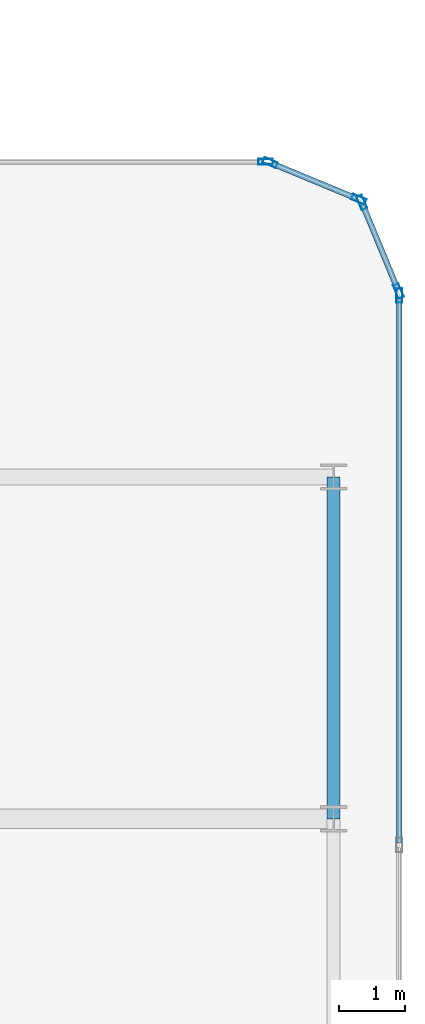
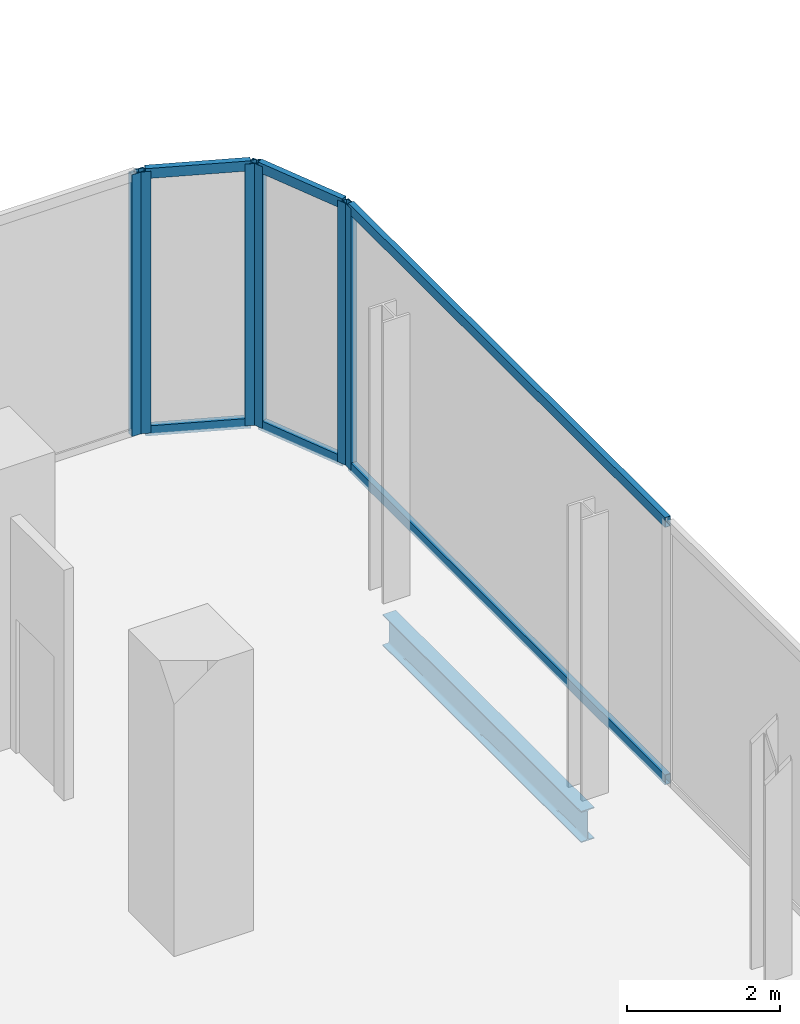
# One storey, part 20 of 30: 12 members, 1 beam, 4 elements without a shape of their own.
"""IFC4 building model written with IfcOpenShell, lengths in metres."""

from ifc_helpers import new_model, si_unit, direction, frame, origin, origin_2d, place, context, subcontext, project, spatial, hollow_rectangle, i_section, extrude, material, layer, layer_set, material_profile, profile_set, type_object, element, aggregate, save


model = new_model("IFC4")

# Units and contexts
model_context = context("Model", 3, precision=1e-05, world=origin(), true_north=direction((0.0, 1.0)))
body_context = subcontext(model_context, "Body", "Model", "MODEL_VIEW")
ifc_project = project(units=[si_unit("LENGTHUNIT", "METRE"), si_unit("AREAUNIT", "SQUARE_METRE"), si_unit("VOLUMEUNIT", "CUBIC_METRE"), si_unit("PLANEANGLEUNIT", "RADIAN"), si_unit("MASSUNIT", "GRAM", prefix="KILO")], contexts=[model_context])

# Site, building, storey
site_placement = place(None, origin())
site = spatial("IfcSite", under=ifc_project, at=site_placement, CompositionType="ELEMENT")
building_placement = place(site_placement, origin())
building = spatial("IfcBuilding", under=site, at=building_placement, Name="Keshet Zoharim Tower", CompositionType="ELEMENT")
storey_placement = place(building_placement, frame((0.0, 0.0, 65.60009765625)))
storey = spatial("IfcBuildingStorey", under=building, at=storey_placement, Name="L15", CompositionType="ELEMENT", Elevation=65.60009765625)

# Beam
ifc_material_1 = material(Name="Steel S355", Category="steel")
ifc_material_profile_1 = material_profile(ifc_material_1, i_section(OverallWidth=0.199951171875, OverallDepth=0.5, WebThickness=0.01025390625, FlangeThickness=0.01611328125, FilletRadius=0.02099609375, at=origin_2d()), Name="IPE500")
ifc_profile_set_1 = profile_set([ifc_material_profile_1], Name="Steel S355")
beam_type = type_object("IfcBeamType", Name="BM-PRI-IP500", PredefinedType="BEAM", material=ifc_profile_set_1)
beam_placement = place(storey_placement, frame((69.0, 22.699951171875, -0.570068359375), z_axis=(0.0, 1.0, 0.0), x_axis=(-1.0, 0.0, 0.0)))
element("IfcBeam", 1, at=beam_placement, inside=storey, type_object=beam_type, Name="L15 Primary Girder Y-023", PredefinedType="BEAM", context=body_context, shape_type="SweptSolid", body=[
    extrude(i_section(OverallWidth=0.199951171875, OverallDepth=0.5, WebThickness=0.01025390625, FlangeThickness=0.01611328125, FilletRadius=0.02099609375, at=origin_2d()), origin(), (0.0, 0.0, 1.0), 5.199951171875),
])

# Curtain wall, member
ifc_material_2 = material(Name="Aluminium 6063-T6", Category="aluminium")
ifc_layer = layer(ifc_material_2, 0.169921875)
ifc_layer_set = layer_set([ifc_layer], Name="Aluminium 6063-T6")
curtain_wall_type = type_object("IfcCurtainWallType", Name="CW-SYS-02", PredefinedType="NOTDEFINED", material=ifc_layer_set)
curtain_wall_1_placement = place(storey_placement, origin())
curtain_wall_1 = element("IfcCurtainWall", 2, at=curtain_wall_1_placement, inside=storey, type_object=curtain_wall_type, Name="L15 Unitised Curtain Wall 10", PredefinedType="NOTDEFINED")
ifc_material_profile_2 = material_profile(ifc_material_2, hollow_rectangle(XDim=0.090087890625, YDim=0.219970703125, WallThickness=0.0048828125, at=origin_2d()), Name="MUL-90x220")
ifc_profile_set_2 = profile_set([ifc_material_profile_2], Name="Aluminium 6063-T6")
member_type_1 = type_object("IfcMemberType", Name="CWM-M22", PredefinedType="MULLION", material=ifc_profile_set_2)
member_1_placement = place(storey_placement, frame((67.965087890625, 32.699951171875, 0.0), z_axis=(0.0, 0.0, 1.0), x_axis=(0.0, 1.0, 0.0)))
member_1 = element("IfcMember", 3, at=member_1_placement, type_object=member_type_1, Name="CW-02 mullion 2", PredefinedType="MULLION", context=body_context, shape_type="SweptSolid", body=[
    extrude(hollow_rectangle(XDim=0.090087890625, YDim=0.219970703125, WallThickness=0.0048828125, at=origin_2d()), origin(), (0.0, 0.0, 1.0), 4.184814453125),
])
aggregate(curtain_wall_1, [member_1])

# Curtain wall, members
curtain_wall_2_placement = place(storey_placement, origin())
curtain_wall_2 = element("IfcCurtainWall", 4, at=curtain_wall_2_placement, inside=storey, type_object=curtain_wall_type, Name="L15 Unitised Curtain Wall 11", PredefinedType="NOTDEFINED")
member_2_placement = place(storey_placement, frame((68.0322265625, 32.6865234375, 0.0), z_axis=(0.0, 0.0, 1.0), x_axis=(0.382851849847, 0.92380975372, 0.0)))
member_2 = element("IfcMember", 5, at=member_2_placement, type_object=member_type_1, Name="CW-02 mullion 1", PredefinedType="MULLION", context=body_context, shape_type="SweptSolid", body=[
    extrude(hollow_rectangle(XDim=0.090087890625, YDim=0.219970703125, WallThickness=0.0048828125, at=origin_2d()), origin(), (0.0, 0.0, 1.0), 4.184814453125),
])
member_3_placement = place(storey_placement, frame((69.381591796875, 32.12744140625, 0.0), z_axis=(0.0, 0.0, 1.0), x_axis=(0.382851849847, 0.92380975372, 0.0)))
member_3 = element("IfcMember", 6, at=member_3_placement, type_object=member_type_1, Name="CW-02 mullion 2", PredefinedType="MULLION", context=body_context, shape_type="SweptSolid", body=[
    extrude(hollow_rectangle(XDim=0.090087890625, YDim=0.219970703125, WallThickness=0.0048828125, at=origin_2d()), origin(), (0.0, 0.0, 1.0), 4.184814453125),
])

curtain_wall_3_placement = place(storey_placement, origin())
curtain_wall_3 = element("IfcCurtainWall", 7, at=curtain_wall_3_placement, inside=storey, type_object=curtain_wall_type, Name="L15 Unitised Curtain Wall 12", PredefinedType="NOTDEFINED")
member_4_placement = place(storey_placement, frame((69.427490234375, 32.081787109375, 0.0), z_axis=(0.0, 0.0, 1.0), x_axis=(0.92380975372, 0.382851849847, 0.0)))
member_4 = element("IfcMember", 8, at=member_4_placement, type_object=member_type_1, Name="CW-02 mullion 1", PredefinedType="MULLION", context=body_context, shape_type="SweptSolid", body=[
    extrude(hollow_rectangle(XDim=0.090087890625, YDim=0.219970703125, WallThickness=0.0048828125, at=origin_2d()), origin(), (0.0, 0.0, 1.0), 4.184814453125),
])
member_5_placement = place(storey_placement, frame((69.986572265625, 30.732421875, 0.0), z_axis=(0.0, 0.0, 1.0), x_axis=(0.92380975372, 0.382851849847, 0.0)))
member_5 = element("IfcMember", 9, at=member_5_placement, type_object=member_type_1, Name="CW-02 mullion 2", PredefinedType="MULLION", context=body_context, shape_type="SweptSolid", body=[
    extrude(hollow_rectangle(XDim=0.090087890625, YDim=0.219970703125, WallThickness=0.0048828125, at=origin_2d()), origin(), (0.0, 0.0, 1.0), 4.184814453125),
])

# Curtain wall, member
curtain_wall_4_placement = place(storey_placement, origin())
curtain_wall_4 = element("IfcCurtainWall", 10, at=curtain_wall_4_placement, inside=storey, type_object=curtain_wall_type, Name="L15 Unitised Curtain Wall 13", PredefinedType="NOTDEFINED")
member_6_placement = place(storey_placement, frame((70.0, 30.6650390625, 0.0), z_axis=(0.0, 0.0, 1.0), x_axis=(1.0, 0.0, 0.0)))
member_6 = element("IfcMember", 11, at=member_6_placement, type_object=member_type_1, Name="CW-02 mullion 1", PredefinedType="MULLION", context=body_context, shape_type="SweptSolid", body=[
    extrude(hollow_rectangle(XDim=0.090087890625, YDim=0.219970703125, WallThickness=0.0048828125, at=origin_2d()), origin(), (0.0, 0.0, 1.0), 4.184814453125),
])

# Member
ifc_material_profile_3 = material_profile(ifc_material_2, hollow_rectangle(XDim=0.0849609375, YDim=0.159912109375, WallThickness=0.00439453125, at=origin_2d()), Name="TRN-85x160")
ifc_profile_set_3 = profile_set([ifc_material_profile_3], Name="Aluminium 6063-T6")
member_type_2 = type_object("IfcMemberType", Name="CWT-T16", PredefinedType="USERDEFINED", material=ifc_profile_set_3)
member_7_placement = place(storey_placement, frame((68.064697265625, 32.673095703125, 0.034912109375), z_axis=(0.923854189844, -0.382744609247, 0.0), x_axis=(0.382744609247, 0.923854189844, 0.0)))
member_7 = element("IfcMember", 12, at=member_7_placement, type_object=member_type_2, Name="CW-02 transom 1.1", ObjectType="TRANSOM", PredefinedType="USERDEFINED", context=body_context, shape_type="SweptSolid", body=[
    extrude(hollow_rectangle(XDim=0.0849609375, YDim=0.159912109375, WallThickness=0.00439453125, at=origin_2d()), origin(), (0.0, 0.0, 1.0), 1.390625),
])

member_8_placement = place(storey_placement, frame((68.064697265625, 32.673095703125, 4.14990234375), z_axis=(0.923854189844, -0.382744609247, 0.0), x_axis=(0.382744609247, 0.923854189844, 0.0)))
member_8 = element("IfcMember", 13, at=member_8_placement, type_object=member_type_2, Name="CW-02 transom 1.2", ObjectType="TRANSOM", PredefinedType="USERDEFINED", context=body_context, shape_type="SweptSolid", body=[
    extrude(hollow_rectangle(XDim=0.0849609375, YDim=0.159912109375, WallThickness=0.00439453125, at=origin_2d()), origin(), (0.0, 0.0, 1.0), 1.390625),
])

aggregate(curtain_wall_2, [member_2, member_3, member_7, member_8])

member_9_placement = place(storey_placement, frame((69.44091796875, 32.04931640625, 0.034912109375), z_axis=(0.382744609247, -0.923854189844, 0.0), x_axis=(0.923854189844, 0.382744609247, 0.0)))
member_9 = element("IfcMember", 14, at=member_9_placement, type_object=member_type_2, Name="CW-02 transom 1.1", ObjectType="TRANSOM", PredefinedType="USERDEFINED", context=body_context, shape_type="SweptSolid", body=[
    extrude(hollow_rectangle(XDim=0.0849609375, YDim=0.159912109375, WallThickness=0.00439453125, at=origin_2d()), origin(), (0.0, 0.0, 1.0), 1.390625),
])

member_10_placement = place(storey_placement, frame((69.44091796875, 32.04931640625, 4.14990234375), z_axis=(0.382744609247, -0.923854189844, 0.0), x_axis=(0.923854189844, 0.382744609247, 0.0)))
member_10 = element("IfcMember", 15, at=member_10_placement, type_object=member_type_2, Name="CW-02 transom 1.2", ObjectType="TRANSOM", PredefinedType="USERDEFINED", context=body_context, shape_type="SweptSolid", body=[
    extrude(hollow_rectangle(XDim=0.0849609375, YDim=0.159912109375, WallThickness=0.00439453125, at=origin_2d()), origin(), (0.0, 0.0, 1.0), 1.390625),
])

aggregate(curtain_wall_3, [member_4, member_5, member_9, member_10])

member_11_placement = place(storey_placement, frame((70.0, 30.6298828125, 0.034912109375), z_axis=(0.0, -1.0, 0.0), x_axis=(1.0, 0.0, 0.0)))
member_11 = element("IfcMember", 16, at=member_11_placement, type_object=member_type_2, Name="CW-02 transom 1.1", ObjectType="TRANSOM", PredefinedType="USERDEFINED", context=body_context, shape_type="SweptSolid", body=[
    extrude(hollow_rectangle(XDim=0.0849609375, YDim=0.159912109375, WallThickness=0.00439453125, at=origin_2d()), origin(), (0.0, 0.0, 1.0), 8.29638671875),
])

member_12_placement = place(storey_placement, frame((70.0, 30.6298828125, 4.14990234375), z_axis=(0.0, -1.0, 0.0), x_axis=(1.0, 0.0, 0.0)))
member_12 = element("IfcMember", 17, at=member_12_placement, type_object=member_type_2, Name="CW-02 transom 1.2", ObjectType="TRANSOM", PredefinedType="USERDEFINED", context=body_context, shape_type="SweptSolid", body=[
    extrude(hollow_rectangle(XDim=0.0849609375, YDim=0.159912109375, WallThickness=0.00439453125, at=origin_2d()), origin(), (0.0, 0.0, 1.0), 8.29638671875),
])

aggregate(curtain_wall_4, [member_6, member_11, member_12])

save(model, "model.ifc")
